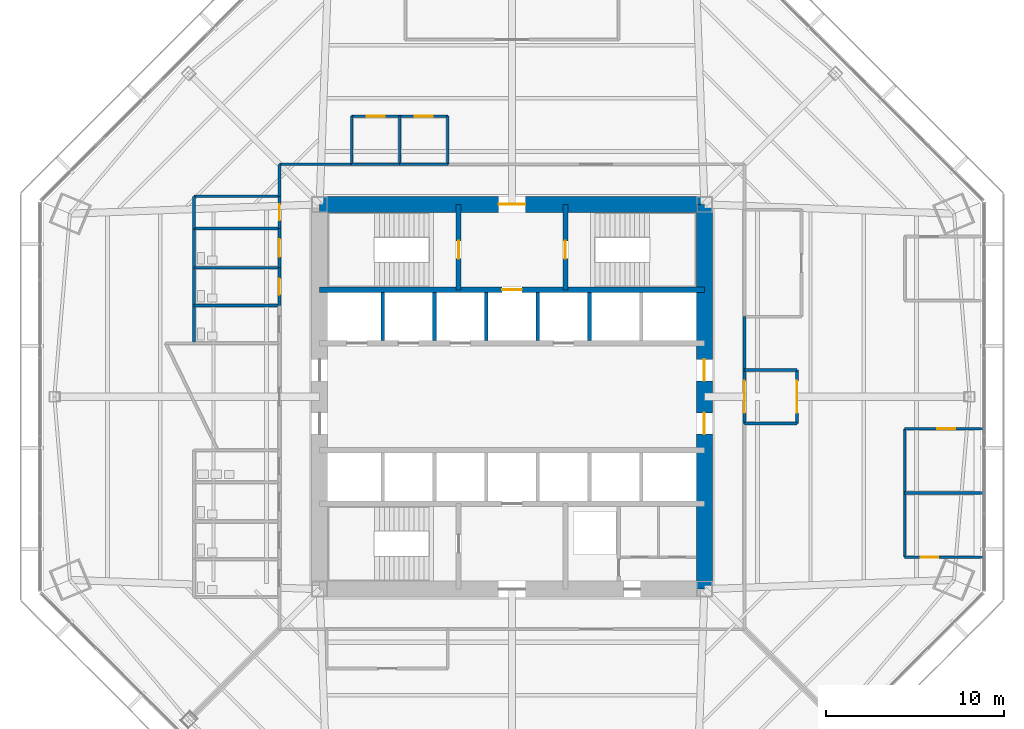
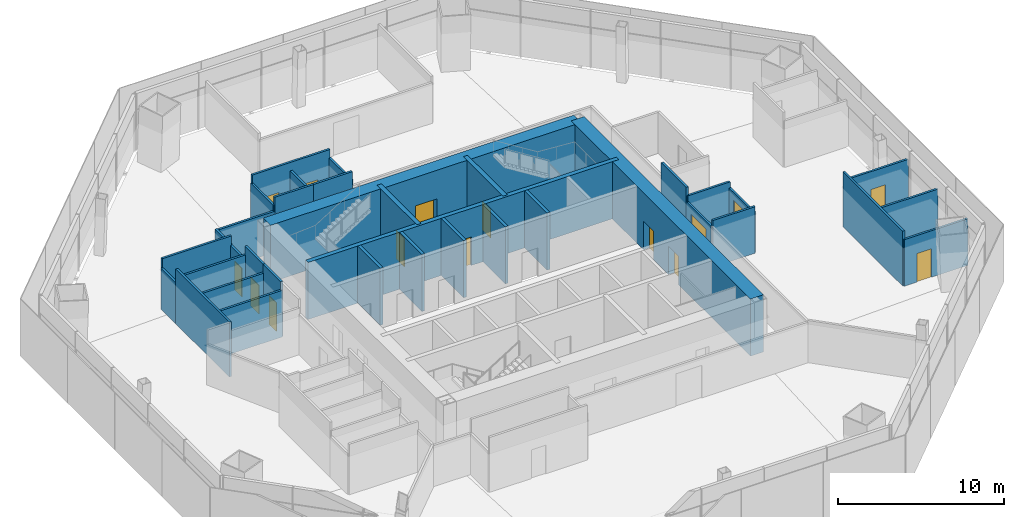
# One storey, part 10 of 14: 36 walls, 15 doors, 15 openings.
"""IFC4 building model written with IfcOpenShell, lengths in metres."""

from ifc_helpers import new_model, si_unit, direction, frame, frame_2d, origin, place, context, subcontext, project, spatial, rectangle, extrude, material, layer, layer_set, type_object, element, fill, save


model = new_model("IFC4")

# Units and contexts
model_context = context("Model", 3, precision=1e-05, world=origin(), true_north=direction((0.0, 1.0)))
body_context = subcontext(model_context, "Body", "Model", "MODEL_VIEW")
ifc_project = project(units=[si_unit("LENGTHUNIT", "METRE"), si_unit("AREAUNIT", "SQUARE_METRE"), si_unit("VOLUMEUNIT", "CUBIC_METRE"), si_unit("PLANEANGLEUNIT", "RADIAN"), si_unit("MASSUNIT", "GRAM", prefix="KILO")], contexts=[model_context])

# Site, building, storey
site_placement = place(None, origin())
site = spatial("IfcSite", under=ifc_project, at=site_placement, CompositionType="ELEMENT")
building_placement = place(site_placement, origin())
building = spatial("IfcBuilding", under=site, at=building_placement, Name="Mashrafa Tower", CompositionType="ELEMENT")
storey_placement = place(building_placement, frame((0.0, 0.0, 54.0)))
storey = spatial("IfcBuildingStorey", under=building, at=storey_placement, Name="L11", CompositionType="ELEMENT", Elevation=54.0)

# Wall, opening, door
ifc_material_1 = material(Name="Concrete C60/75", Category="concrete")
ifc_layer_1 = layer(ifc_material_1, 0.300048828125)
ifc_layer_set_1 = layer_set([ifc_layer_1], Name="Core wall 300 C60/75")
wall_type_1 = type_object("IfcWallType", Name="Core wall 300 C60/75", PredefinedType="SOLIDWALL", material=ifc_layer_set_1)
wall_1_placement = place(storey_placement, frame((-10.800048828125, 6.0, 0.0), z_axis=(0.0, 0.0, 1.0), x_axis=(1.0, 0.0, 0.0)))
wall_1 = element("IfcWall", 1, at=wall_1_placement, inside=storey, type_object=wall_type_1, Name="Core wall CB-N L11", PredefinedType="SOLIDWALL", context=body_context, shape_type="SweptSolid", body=[
    extrude(rectangle(XDim=21.60009765625, YDim=0.300048828125, at=frame_2d((10.800048828125, 0.0))), origin(), (0.0, 0.0, 1.0), 4.199951171875),
])
opening_1_placement = place(wall_1_placement, frame((10.25, 0.0, 0.0)))
opening_1 = element("IfcOpeningElement", 2, at=opening_1_placement, cuts=wall_1, Name="Opening 11.F1", PredefinedType="OPENING", context=body_context, shape_type="SweptSolid", body=[
    extrude(rectangle(XDim=1.10009765625, YDim=2.10009765625, at=frame_2d((0.550048828125, 1.050048828125))), frame((0.0, 0.159912109375, 0.0), z_axis=(0.0, -1.0, 0.0), x_axis=(1.0, 0.0, 0.0)), (0.0, 0.0, 1.0), 0.320068359375),
])
ifc_material_2 = material(Name="Steel door", Category="steel")
door_type_1 = type_object("IfcDoorType", Name="Lift landing door 1100 x 2100 90 min", OperationType="DOUBLE_DOOR_SLIDING", PredefinedType="DOOR", material=ifc_material_2)
door_1_placement = place(opening_1_placement, origin())
door_1 = element("IfcDoor", 3, at=door_1_placement, inside=storey, type_object=door_type_1, Name="Lift landing door F1 L11", OperationType="DOUBLE_DOOR_SLIDING", OverallHeight=2.10009765625, OverallWidth=1.10009765625, PredefinedType="DOOR", context=body_context, shape_type="SweptSolid", body=[
    extrude(rectangle(XDim=1.10009765625, YDim=2.10009765625, at=frame_2d((0.550048828125, 1.050048828125))), frame((0.0, 0.02490234375, 0.0), z_axis=(0.0, -1.0, 0.0), x_axis=(1.0, 0.0, 0.0)), (0.0, 0.0, 1.0), 0.050048828125),
])
fill(opening_1, door_1)

wall_2_placement = place(storey_placement, frame((-3.0, 6.0, 0.0), z_axis=(0.0, 0.0, 1.0), x_axis=(0.0, 1.0, 0.0)))
wall_2 = element("IfcWall", 4, at=wall_2_placement, inside=storey, type_object=wall_type_1, Name="Core wall CX-NW L11", PredefinedType="SOLIDWALL", context=body_context, shape_type="SweptSolid", body=[
    extrude(rectangle(XDim=4.800048828125, YDim=0.300048828125, at=frame_2d((2.39990234375, 0.0))), origin(), (0.0, 0.0, 1.0), 4.199951171875),
])
opening_2_placement = place(wall_2_placement, frame((1.75, 0.0, 0.0)))
opening_2 = element("IfcOpeningElement", 5, at=opening_2_placement, cuts=wall_2, Name="Opening 11.028", PredefinedType="OPENING", context=body_context, shape_type="SweptSolid", body=[
    extrude(rectangle(XDim=1.0, YDim=2.10009765625, at=frame_2d((0.5, 1.050048828125))), frame((0.0, 0.159912109375, 0.0), z_axis=(0.0, -1.0, 0.0), x_axis=(1.0, 0.0, 0.0)), (0.0, 0.0, 1.0), 0.320068359375),
])
ifc_material_3 = material(Name="Steel door", Category="steel")
door_type_2 = type_object("IfcDoorType", Name="Stair door 1000 x 2100 90 min", OperationType="USERDEFINED", PredefinedType="DOOR", material=ifc_material_3)
door_2_placement = place(opening_2_placement, origin())
door_2 = element("IfcDoor", 6, at=door_2_placement, inside=storey, type_object=door_type_2, Name="Stair S1 door L11", OperationType="SINGLE_SWING_LEFT", OverallHeight=2.10009765625, OverallWidth=1.0, PredefinedType="DOOR", context=body_context, shape_type="SweptSolid", body=[
    extrude(rectangle(XDim=1.0, YDim=2.10009765625, at=frame_2d((0.5, 1.050048828125))), frame((0.0, 0.02490234375, 0.0), z_axis=(0.0, -1.0, 0.0), x_axis=(1.0, 0.0, 0.0)), (0.0, 0.0, 1.0), 0.050048828125),
])
fill(opening_2, door_2)

wall_3_placement = place(storey_placement, frame((3.0, 6.0, 0.0), z_axis=(0.0, 0.0, 1.0), x_axis=(0.0, 1.0, 0.0)))
wall_3 = element("IfcWall", 7, at=wall_3_placement, inside=storey, type_object=wall_type_1, Name="Core wall CX-NE L11", PredefinedType="SOLIDWALL", context=body_context, shape_type="SweptSolid", body=[
    extrude(rectangle(XDim=4.800048828125, YDim=0.300048828125, at=frame_2d((2.39990234375, 0.0))), origin(), (0.0, 0.0, 1.0), 4.199951171875),
])
opening_3_placement = place(wall_3_placement, frame((1.75, 0.0, 0.0)))
opening_3 = element("IfcOpeningElement", 8, at=opening_3_placement, cuts=wall_3, Name="Opening 11.029", PredefinedType="OPENING", context=body_context, shape_type="SweptSolid", body=[
    extrude(rectangle(XDim=1.0, YDim=2.10009765625, at=frame_2d((0.5, 1.050048828125))), frame((0.0, 0.159912109375, 0.0), z_axis=(0.0, -1.0, 0.0), x_axis=(1.0, 0.0, 0.0)), (0.0, 0.0, 1.0), 0.320068359375),
])
door_3_placement = place(opening_3_placement, frame((1.0, 0.0, 0.0), z_axis=(0.0, 0.0, 1.0), x_axis=(-1.0, 0.0, 0.0)))
door_3 = element("IfcDoor", 9, at=door_3_placement, inside=storey, type_object=door_type_2, Name="Stair S2 door L11", OperationType="SINGLE_SWING_RIGHT", OverallHeight=2.10009765625, OverallWidth=1.0, PredefinedType="DOOR", context=body_context, shape_type="SweptSolid", body=[
    extrude(rectangle(XDim=1.0, YDim=2.10009765625, at=frame_2d((0.5, 1.050048828125))), frame((0.0, 0.02490234375, 0.0), z_axis=(0.0, -1.0, 0.0), x_axis=(1.0, 0.0, 0.0)), (0.0, 0.0, 1.0), 0.050048828125),
])
fill(opening_3, door_3)

# Wall, openings, doors
ifc_material_4 = material(Name="Concrete C60/75", Category="concrete")
ifc_layer_2 = layer(ifc_material_4, 0.89990234375)
ifc_layer_set_2 = layer_set([ifc_layer_2], Name="Core wall 900 C60/75")
wall_type_2 = type_object("IfcWallType", Name="Core wall 900 C60/75", PredefinedType="SOLIDWALL", material=ifc_layer_set_2)
wall_4_placement = place(storey_placement, frame((10.800048828125, -10.800048828125, 0.0), z_axis=(0.0, 0.0, 1.0), x_axis=(0.0, 1.0, 0.0)))
wall_4 = element("IfcWall", 10, at=wall_4_placement, inside=storey, type_object=wall_type_2, Name="Core wall CW-E L11", PredefinedType="SOLIDWALL", context=body_context, shape_type="SweptSolid", body=[
    extrude(rectangle(XDim=21.60009765625, YDim=0.89990234375, at=frame_2d((10.800048828125, 0.0))), origin(), (0.0, 0.0, 1.0), 4.199951171875),
])
opening_4_placement = place(wall_4_placement, frame((11.699951171875, 0.0, 0.0)))
opening_4 = element("IfcOpeningElement", 11, at=opening_4_placement, cuts=wall_4, Name="Opening 11.022", PredefinedType="OPENING", context=body_context, shape_type="SweptSolid", body=[
    extrude(rectangle(XDim=1.199951171875, YDim=2.10009765625, at=frame_2d((0.60009765625, 1.050048828125))), frame((0.0, 0.4599609375, 0.0), z_axis=(0.0, -1.0, 0.0), x_axis=(1.0, 0.0, 0.0)), (0.0, 0.0, 1.0), 0.919921875),
])
opening_5_placement = place(wall_4_placement, frame((8.699951171875, 0.0, 0.0)))
opening_5 = element("IfcOpeningElement", 12, at=opening_5_placement, cuts=wall_4, Name="Opening 11.024", PredefinedType="OPENING", context=body_context, shape_type="SweptSolid", body=[
    extrude(rectangle(XDim=1.199951171875, YDim=2.10009765625, at=frame_2d((0.60009765625, 1.050048828125))), frame((0.0, 0.4599609375, 0.0), z_axis=(0.0, -1.0, 0.0), x_axis=(1.0, 0.0, 0.0)), (0.0, 0.0, 1.0), 0.919921875),
])
ifc_material_5 = material(Name="Steel door", Category="steel")
door_type_3 = type_object("IfcDoorType", Name="Lift hall door 1200 x 2100 90 min", OperationType="USERDEFINED", PredefinedType="DOOR", material=ifc_material_5)
door_4_placement = place(opening_4_placement, frame((1.199951171875, 0.0, 0.0), z_axis=(0.0, 0.0, 1.0), x_axis=(-1.0, 0.0, 0.0)))
door_4 = element("IfcDoor", 13, at=door_4_placement, inside=storey, type_object=door_type_3, Name="Lift hall door east L11", OperationType="SINGLE_SWING_LEFT", OverallHeight=2.10009765625, OverallWidth=1.199951171875, PredefinedType="DOOR", context=body_context, shape_type="SweptSolid", body=[
    extrude(rectangle(XDim=1.199951171875, YDim=2.10009765625, at=frame_2d((0.60009765625, 1.050048828125))), frame((0.0, 0.02490234375, 0.0), z_axis=(0.0, -1.0, 0.0), x_axis=(1.0, 0.0, 0.0)), (0.0, 0.0, 1.0), 0.050048828125),
])
fill(opening_4, door_4)
door_5_placement = place(opening_5_placement, frame((1.199951171875, 0.0, 0.0), z_axis=(0.0, 0.0, 1.0), x_axis=(-1.0, 0.0, 0.0)))
door_5 = element("IfcDoor", 14, at=door_5_placement, inside=storey, type_object=door_type_3, Name="Lift hall door east L11", OperationType="SINGLE_SWING_RIGHT", OverallHeight=2.10009765625, OverallWidth=1.199951171875, PredefinedType="DOOR", context=body_context, shape_type="SweptSolid", body=[
    extrude(rectangle(XDim=1.199951171875, YDim=2.10009765625, at=frame_2d((0.60009765625, 1.050048828125))), frame((0.0, 0.02490234375, 0.0), z_axis=(0.0, -1.0, 0.0), x_axis=(1.0, 0.0, 0.0)), (0.0, 0.0, 1.0), 0.050048828125),
])
fill(opening_5, door_5)

# Wall, opening, door
wall_5_placement = place(storey_placement, frame((10.800048828125, 10.800048828125, 0.0), z_axis=(0.0, 0.0, 1.0), x_axis=(-1.0, 0.0, 0.0)))
wall_5 = element("IfcWall", 15, at=wall_5_placement, inside=storey, type_object=wall_type_2, Name="Core wall CW-N L11", PredefinedType="SOLIDWALL", context=body_context, shape_type="SweptSolid", body=[
    extrude(rectangle(XDim=21.60009765625, YDim=0.89990234375, at=frame_2d((10.800048828125, 0.0))), origin(), (0.0, 0.0, 1.0), 4.199951171875),
])
opening_6_placement = place(wall_5_placement, frame((10.050048828125, 0.0, 0.0)))
opening_6 = element("IfcOpeningElement", 16, at=opening_6_placement, cuts=wall_5, Name="Opening 11.026", PredefinedType="OPENING", context=body_context, shape_type="SweptSolid", body=[
    extrude(rectangle(XDim=1.5, YDim=2.10009765625, at=frame_2d((0.75, 1.050048828125))), frame((0.0, 0.4599609375, 0.0), z_axis=(0.0, -1.0, 0.0), x_axis=(1.0, 0.0, 0.0)), (0.0, 0.0, 1.0), 0.919921875),
])
ifc_material_6 = material(Name="Steel door", Category="steel")
door_type_4 = type_object("IfcDoorType", Name="Lobby door pair 1500 x 2100 90 min", OperationType="DOUBLE_DOOR_SINGLE_SWING", PredefinedType="DOOR", material=ifc_material_6)
door_6_placement = place(opening_6_placement, origin())
door_6 = element("IfcDoor", 17, at=door_6_placement, inside=storey, type_object=door_type_4, Name="Fire-fighting lobby F1 door L11", OperationType="DOUBLE_DOOR_SINGLE_SWING", OverallHeight=2.10009765625, OverallWidth=1.5, PredefinedType="DOOR", context=body_context, shape_type="SweptSolid", body=[
    extrude(rectangle(XDim=1.5, YDim=2.10009765625, at=frame_2d((0.75, 1.050048828125))), frame((0.0, 0.02490234375, 0.0), z_axis=(0.0, -1.0, 0.0), x_axis=(1.0, 0.0, 0.0)), (0.0, 0.0, 1.0), 0.050048828125),
])
fill(opening_6, door_6)

ifc_material_7 = material(Name="Gypsum board on steel studs", Category="steel")
ifc_layer_3 = layer(ifc_material_7, 0.14990234375)
ifc_layer_set_3 = layer_set([ifc_layer_3], Name="Corridor partition 150 1 hr")
wall_type_3 = type_object("IfcWallType", Name="Corridor partition 150 1 hr", PredefinedType="PARTITIONING", material=ifc_layer_set_3)
wall_6_placement = place(storey_placement, frame((-13.050048828125, 7.2509765625, 0.0), z_axis=(0.0, 0.0, 1.0), x_axis=(0.0, -1.0, 0.0)))
wall_6 = element("IfcWall", 18, at=wall_6_placement, inside=storey, type_object=wall_type_3, Name="Corridor wall L11-002", PredefinedType="PARTITIONING", context=body_context, shape_type="SweptSolid", body=[
    extrude(rectangle(XDim=2.126953125, YDim=0.14990234375, at=frame_2d((1.0634765625, 0.0))), origin(), (0.0, 0.0, 1.0), 4.034912109375),
])
opening_7_placement = place(wall_6_placement, frame((0.613525390625, 0.0, 0.0)))
opening_7 = element("IfcOpeningElement", 19, at=opening_7_placement, cuts=wall_6, Name="Opening 11.002", PredefinedType="OPENING", context=body_context, shape_type="SweptSolid", body=[
    extrude(rectangle(XDim=0.89990234375, YDim=2.10009765625, at=frame_2d((0.449951171875, 1.050048828125))), frame((0.0, 0.0849609375, 0.0), z_axis=(0.0, -1.0, 0.0), x_axis=(1.0, 0.0, 0.0)), (0.0, 0.0, 1.0), 0.169921875),
])
ifc_material_8 = material(Name="Timber door", Category="wood")
door_type_5 = type_object("IfcDoorType", Name="Toilet door 900 x 2100", OperationType="USERDEFINED", PredefinedType="DOOR", material=ifc_material_8)
door_7_placement = place(opening_7_placement, frame((0.89990234375, 0.0, 0.0), z_axis=(0.0, 0.0, 1.0), x_axis=(-1.0, 0.0, 0.0)))
door_7 = element("IfcDoor", 20, at=door_7_placement, inside=storey, type_object=door_type_5, Name="WC Male L11 N door", OperationType="SINGLE_SWING_LEFT", OverallHeight=2.10009765625, OverallWidth=0.89990234375, PredefinedType="DOOR", context=body_context, shape_type="SweptSolid", body=[
    extrude(rectangle(XDim=0.89990234375, YDim=2.10009765625, at=frame_2d((0.449951171875, 1.050048828125))), frame((0.0, 0.02490234375, 0.0), z_axis=(0.0, -1.0, 0.0), x_axis=(1.0, 0.0, 0.0)), (0.0, 0.0, 1.0), 0.050048828125),
])
fill(opening_7, door_7)

wall_7_placement = place(storey_placement, frame((-13.050048828125, 9.450927734375, 0.0), z_axis=(0.0, 0.0, 1.0), x_axis=(0.0, -1.0, 0.0)))
wall_7 = element("IfcWall", 21, at=wall_7_placement, inside=storey, type_object=wall_type_3, Name="Corridor wall L11-003", PredefinedType="PARTITIONING", context=body_context, shape_type="SweptSolid", body=[
    extrude(rectangle(XDim=2.201904296875, YDim=0.14990234375, at=frame_2d((1.10107421875, 0.0))), origin(), (0.0, 0.0, 1.0), 4.034912109375),
])
opening_8_placement = place(wall_7_placement, frame((0.60107421875, 0.0, 0.0)))
opening_8 = element("IfcOpeningElement", 22, at=opening_8_placement, cuts=wall_7, Name="Opening 11.003", PredefinedType="OPENING", context=body_context, shape_type="SweptSolid", body=[
    extrude(rectangle(XDim=1.0, YDim=2.10009765625, at=frame_2d((0.5, 1.050048828125))), frame((0.0, 0.0849609375, 0.0), z_axis=(0.0, -1.0, 0.0), x_axis=(1.0, 0.0, 0.0)), (0.0, 0.0, 1.0), 0.169921875),
])
ifc_material_9 = material(Name="Timber door", Category="wood")
door_type_6 = type_object("IfcDoorType", Name="Accessible toilet door 1000 x 2100", OperationType="USERDEFINED", PredefinedType="DOOR", material=ifc_material_9)
door_8_placement = place(opening_8_placement, frame((1.0, 0.0, 0.0), z_axis=(0.0, 0.0, 1.0), x_axis=(-1.0, 0.0, 0.0)))
door_8 = element("IfcDoor", 23, at=door_8_placement, inside=storey, type_object=door_type_6, Name="Accessible WC L11 N door", OperationType="SINGLE_SWING_RIGHT", OverallHeight=2.10009765625, OverallWidth=1.0, PredefinedType="DOOR", context=body_context, shape_type="SweptSolid", body=[
    extrude(rectangle(XDim=1.0, YDim=2.10009765625, at=frame_2d((0.5, 1.050048828125))), frame((0.0, 0.02490234375, 0.0), z_axis=(0.0, -1.0, 0.0), x_axis=(1.0, 0.0, 0.0)), (0.0, 0.0, 1.0), 0.050048828125),
])
fill(opening_8, door_8)

wall_8_placement = place(storey_placement, frame((-13.050048828125, 11.2509765625, 0.0), z_axis=(0.0, 0.0, 1.0), x_axis=(0.0, -1.0, 0.0)))
wall_8 = element("IfcWall", 24, at=wall_8_placement, inside=storey, type_object=wall_type_3, Name="Corridor wall L11-004", PredefinedType="PARTITIONING", context=body_context, shape_type="SweptSolid", body=[
    extrude(rectangle(XDim=1.802001953125, YDim=0.14990234375, at=frame_2d((0.90087890625, 0.0))), origin(), (0.0, 0.0, 1.0), 3.01416015625),
])
opening_9_placement = place(wall_8_placement, frame((0.450927734375, 0.0, 0.0)))
opening_9 = element("IfcOpeningElement", 25, at=opening_9_placement, cuts=wall_8, Name="Opening 11.004", PredefinedType="OPENING", context=body_context, shape_type="SweptSolid", body=[
    extrude(rectangle(XDim=0.89990234375, YDim=2.10009765625, at=frame_2d((0.449951171875, 1.050048828125))), frame((0.0, 0.0849609375, 0.0), z_axis=(0.0, -1.0, 0.0), x_axis=(1.0, 0.0, 0.0)), (0.0, 0.0, 1.0), 0.169921875),
])
ifc_material_10 = material(Name="Timber door", Category="wood")
door_type_7 = type_object("IfcDoorType", Name="Store door 900 x 2100", OperationType="USERDEFINED", PredefinedType="DOOR", material=ifc_material_10)
door_9_placement = place(opening_9_placement, frame((0.89990234375, 0.0, 0.0), z_axis=(0.0, 0.0, 1.0), x_axis=(-1.0, 0.0, 0.0)))
door_9 = element("IfcDoor", 26, at=door_9_placement, inside=storey, type_object=door_type_7, Name="Cleaner's Store L11 N door", OperationType="SINGLE_SWING_LEFT", OverallHeight=2.10009765625, OverallWidth=0.89990234375, PredefinedType="DOOR", context=body_context, shape_type="SweptSolid", body=[
    extrude(rectangle(XDim=0.89990234375, YDim=2.10009765625, at=frame_2d((0.449951171875, 1.050048828125))), frame((0.0, 0.02490234375, 0.0), z_axis=(0.0, -1.0, 0.0), x_axis=(1.0, 0.0, 0.0)), (0.0, 0.0, 1.0), 0.050048828125),
])
fill(opening_9, door_9)

# Walls
for number, where, z_axis, x_axis, name in (
    (27, (-3.59912109375, 13.050048828125, 0.0), (0.0, 0.0, 1.0), (-1.0, 0.0, 0.0), "Corridor wall L11-012"),
    (28, (-6.299072265625, 13.050048828125, 0.0), (0.0, 0.0, 1.0), (-1.0, 0.0, 0.0), "Corridor wall L11-013"),
):
    element("IfcWall", number, at=place(storey_placement, frame(where, z_axis=z_axis, x_axis=x_axis)), inside=storey, type_object=wall_type_3, Name=name, PredefinedType="PARTITIONING", context=body_context, shape_type="SweptSolid", body=[
        extrude(rectangle(XDim=2.701904296875, YDim=0.14990234375, at=frame_2d((1.35107421875, 0.0))), origin(), (0.0, 0.0, 1.0), 4.034912109375),
    ])

# Wall, opening, door
wall_9_placement = place(storey_placement, frame((13.050048828125, -1.5009765625, 0.0), z_axis=(0.0, 0.0, 1.0), x_axis=(0.0, 1.0, 0.0)))
wall_9 = element("IfcWall", 29, at=wall_9_placement, inside=storey, type_object=wall_type_3, Name="Corridor wall L11-014", PredefinedType="PARTITIONING", context=body_context, shape_type="SweptSolid", body=[
    extrude(rectangle(XDim=3.001953125, YDim=0.14990234375, at=frame_2d((1.5009765625, 0.0))), origin(), (0.0, 0.0, 1.0), 2.983642578125),
])
opening_10_placement = place(wall_9_placement, frame((0.60107421875, 0.0, 0.0)))
opening_10 = element("IfcOpeningElement", 30, at=opening_10_placement, cuts=wall_9, Name="Opening 11.018", PredefinedType="OPENING", context=body_context, shape_type="SweptSolid", body=[
    extrude(rectangle(XDim=1.800048828125, YDim=2.39990234375, at=frame_2d((0.89990234375, 1.199951171875))), frame((0.0, 0.0849609375, 0.0), z_axis=(0.0, -1.0, 0.0), x_axis=(1.0, 0.0, 0.0)), (0.0, 0.0, 1.0), 0.169921875),
])
ifc_material_11 = material(Name="Steel door", Category="steel")
door_type_8 = type_object("IfcDoorType", Name="Door pair 1800 x 2400 90 min", OperationType="DOUBLE_DOOR_SINGLE_SWING", PredefinedType="DOOR", material=ifc_material_11)
door_10_placement = place(opening_10_placement, origin())
door_10 = element("IfcDoor", 31, at=door_10_placement, inside=storey, type_object=door_type_8, Name="Trading Floor Entrance Lobby 11 door", OperationType="DOUBLE_DOOR_SINGLE_SWING", OverallHeight=2.39990234375, OverallWidth=1.800048828125, PredefinedType="DOOR", context=body_context, shape_type="SweptSolid", body=[
    extrude(rectangle(XDim=1.800048828125, YDim=2.39990234375, at=frame_2d((0.89990234375, 1.199951171875))), frame((0.0, 0.02490234375, 0.0), z_axis=(0.0, -1.0, 0.0), x_axis=(1.0, 0.0, 0.0)), (0.0, 0.0, 1.0), 0.050048828125),
])
fill(opening_10, door_10)

# Walls
wall_10_placement = place(storey_placement, frame((-8.9990234375, 13.050048828125, 0.0), z_axis=(0.0, 0.0, 1.0), x_axis=(-1.0, 0.0, 0.0)))
element("IfcWall", 32, at=wall_10_placement, inside=storey, type_object=wall_type_3, Name="Corridor wall L11-016", PredefinedType="PARTITIONING", context=body_context, shape_type="SweptSolid", body=[
    extrude(rectangle(XDim=4.051025390625, YDim=0.14990234375, at=frame_2d((2.025390625, 0.0))), origin(), (0.0, 0.0, 1.0), 3.01416015625),
])
wall_11_placement = place(storey_placement, frame((-13.050048828125, 13.050048828125, 0.0), z_axis=(0.0, 0.0, 1.0), x_axis=(0.0, -1.0, 0.0)))
element("IfcWall", 33, at=wall_11_placement, inside=storey, type_object=wall_type_3, Name="Corridor wall L11-017", PredefinedType="PARTITIONING", context=body_context, shape_type="SweptSolid", body=[
    extrude(rectangle(XDim=1.801025390625, YDim=0.14990234375, at=frame_2d((0.900390625, 0.0))), origin(), (0.0, 0.0, 1.0), 3.097900390625),
])
wall_12_placement = place(storey_placement, frame((13.050048828125, 1.4990234375, 0.0), z_axis=(0.0, 0.0, 1.0), x_axis=(0.0, 1.0, 0.0)))
element("IfcWall", 34, at=wall_12_placement, inside=storey, type_object=wall_type_3, Name="Corridor wall L11-021", PredefinedType="PARTITIONING", context=body_context, shape_type="SweptSolid", body=[
    extrude(rectangle(XDim=3.001953125, YDim=0.14990234375, at=frame_2d((1.5009765625, 0.0))), origin(), (0.0, 0.0, 1.0), 4.034912109375),
])
wall_13_placement = place(storey_placement, frame((13.050048828125, -1.5, 0.0), z_axis=(0.0, 0.0, 1.0), x_axis=(1.0, 0.0, 0.0)))
element("IfcWall", 35, at=wall_13_placement, inside=storey, type_object=wall_type_3, Name="Corridor wall L11-067", PredefinedType="PARTITIONING", context=body_context, shape_type="SweptSolid", body=[
    extrude(rectangle(XDim=2.949951171875, YDim=0.14990234375, at=frame_2d((1.47509765625, 0.0))), origin(), (0.0, 0.0, 1.0), 3.423095703125),
])

# Wall, opening, door
wall_14_placement = place(storey_placement, frame((16.0, -1.5, 0.0), z_axis=(0.0, 0.0, 1.0), x_axis=(0.0, 1.0, 0.0)))
wall_14 = element("IfcWall", 36, at=wall_14_placement, inside=storey, type_object=wall_type_3, Name="Corridor wall L11-068", PredefinedType="PARTITIONING", context=body_context, shape_type="SweptSolid", body=[
    extrude(rectangle(XDim=3.0, YDim=0.14990234375, at=frame_2d((1.5, 0.0))), origin(), (0.0, 0.0, 1.0), 2.983642578125),
])
opening_11_placement = place(wall_14_placement, frame((0.60009765625, 0.0, 0.0)))
opening_11 = element("IfcOpeningElement", 37, at=opening_11_placement, cuts=wall_14, Name="Opening 11.019", PredefinedType="OPENING", context=body_context, shape_type="SweptSolid", body=[
    extrude(rectangle(XDim=1.800048828125, YDim=2.39990234375, at=frame_2d((0.89990234375, 1.199951171875))), frame((0.0, 0.0849609375, 0.0), z_axis=(0.0, -1.0, 0.0), x_axis=(1.0, 0.0, 0.0)), (0.0, 0.0, 1.0), 0.169921875),
])
door_11_placement = place(opening_11_placement, frame((1.800048828125, 0.0, 0.0), z_axis=(0.0, 0.0, 1.0), x_axis=(-1.0, 0.0, 0.0)))
door_11 = element("IfcDoor", 38, at=door_11_placement, inside=storey, type_object=door_type_8, Name="Trading Floor Entrance Lobby 11 door", OperationType="DOUBLE_DOOR_SINGLE_SWING", OverallHeight=2.39990234375, OverallWidth=1.800048828125, PredefinedType="DOOR", context=body_context, shape_type="SweptSolid", body=[
    extrude(rectangle(XDim=1.800048828125, YDim=2.39990234375, at=frame_2d((0.89990234375, 1.199951171875))), frame((0.0, 0.02490234375, 0.0), z_axis=(0.0, -1.0, 0.0), x_axis=(1.0, 0.0, 0.0)), (0.0, 0.0, 1.0), 0.050048828125),
])
fill(opening_11, door_11)

# Walls
wall_15_placement = place(storey_placement, frame((16.0, 1.5, 0.0), z_axis=(0.0, 0.0, 1.0), x_axis=(-1.0, 0.0, 0.0)))
element("IfcWall", 39, at=wall_15_placement, inside=storey, type_object=wall_type_3, Name="Corridor wall L11-069", PredefinedType="PARTITIONING", context=body_context, shape_type="SweptSolid", body=[
    extrude(rectangle(XDim=2.949951171875, YDim=0.14990234375, at=frame_2d((1.47509765625, 0.0))), origin(), (0.0, 0.0, 1.0), 3.423095703125),
])
ifc_material_12 = material(Name="Gypsum board on steel studs", Category="steel")
ifc_layer_4 = layer(ifc_material_12, 0.14990234375)
ifc_layer_set_4 = layer_set([ifc_layer_4], Name="Partition 150")
wall_type_4 = type_object("IfcWallType", Name="Partition 150", PredefinedType="PARTITIONING", material=ifc_layer_set_4)
wall_16_placement = place(storey_placement, frame((-13.050048828125, 5.125, 0.0), z_axis=(0.0, 0.0, 1.0), x_axis=(-1.0, 0.0, 0.0)))
element("IfcWall", 40, at=wall_16_placement, inside=storey, type_object=wall_type_4, Name="Partition wall L11-024", PredefinedType="PARTITIONING", context=body_context, shape_type="SweptSolid", body=[
    extrude(rectangle(XDim=4.800048828125, YDim=0.14990234375, at=frame_2d((2.39990234375, 0.0))), origin(), (0.0, 0.0, 1.0), 3.423095703125),
])
wall_17_placement = place(storey_placement, frame((-17.85009765625, 3.0, 0.0), z_axis=(0.0, 0.0, 1.0), x_axis=(0.0, 1.0, 0.0)))
element("IfcWall", 41, at=wall_17_placement, inside=storey, type_object=wall_type_4, Name="Partition wall L11-026", PredefinedType="PARTITIONING", context=body_context, shape_type="SweptSolid", body=[
    extrude(rectangle(XDim=6.449951171875, YDim=0.14990234375, at=frame_2d((3.22509765625, 0.0))), origin(), (0.0, 0.0, 1.0), 4.034912109375),
])
for number, where, z_axis, x_axis, name in (
    (42, (-13.050048828125, 7.25, 0.0), (0.0, 0.0, 1.0), (-1.0, 0.0, 0.0), "Partition wall L11-027"),
    (43, (-13.050048828125, 9.449951171875, 0.0), (0.0, 0.0, 1.0), (-1.0, 0.0, 0.0), "Partition wall L11-029"),
):
    element("IfcWall", number, at=place(storey_placement, frame(where, z_axis=z_axis, x_axis=x_axis)), inside=storey, type_object=wall_type_4, Name=name, PredefinedType="PARTITIONING", context=body_context, shape_type="SweptSolid", body=[
        extrude(rectangle(XDim=4.800048828125, YDim=0.14990234375, at=frame_2d((2.39990234375, 0.0))), origin(), (0.0, 0.0, 1.0), 3.423095703125),
    ])
wall_18_placement = place(storey_placement, frame((-13.050048828125, 11.25, 0.0), z_axis=(0.0, 0.0, 1.0), x_axis=(-1.0, 0.0, 0.0)))
element("IfcWall", 44, at=wall_18_placement, inside=storey, type_object=wall_type_4, Name="Partition wall L11-031", PredefinedType="PARTITIONING", context=body_context, shape_type="SweptSolid", body=[
    extrude(rectangle(XDim=4.800048828125, YDim=0.14990234375, at=frame_2d((2.39990234375, 0.0))), origin(), (0.0, 0.0, 1.0), 3.715087890625),
])
wall_19_placement = place(storey_placement, frame((-17.85009765625, 11.25, 0.0), z_axis=(0.0, 0.0, 1.0), x_axis=(0.0, -1.0, 0.0)))
element("IfcWall", 45, at=wall_19_placement, inside=storey, type_object=wall_type_4, Name="Partition wall L11-032", PredefinedType="PARTITIONING", context=body_context, shape_type="SweptSolid", body=[
    extrude(rectangle(XDim=1.800048828125, YDim=0.14990234375, at=frame_2d((0.89990234375, 0.0))), origin(), (0.0, 0.0, 1.0), 3.01416015625),
])
wall_20_placement = place(storey_placement, frame((26.468994140625, -5.39990234375, 0.0), z_axis=(0.0, 0.0, 1.0), x_axis=(-1.0, 0.0, 0.0)))
element("IfcWall", 46, at=wall_20_placement, inside=storey, type_object=wall_type_4, Name="Partition wall L11-045", PredefinedType="PARTITIONING", context=body_context, shape_type="SweptSolid", body=[
    extrude(rectangle(XDim=4.431884765625, YDim=0.14990234375, at=frame_2d((2.2158203125, 0.0))), origin(), (0.0, 0.0, 1.0), 3.41796875),
])
wall_21_placement = place(storey_placement, frame((22.037109375, -9.0, 0.0), z_axis=(0.0, 0.0, 1.0), x_axis=(0.0, 1.0, 0.0)))
element("IfcWall", 47, at=wall_21_placement, inside=storey, type_object=wall_type_4, Name="Partition wall L11-046", PredefinedType="PARTITIONING", context=body_context, shape_type="SweptSolid", body=[
    extrude(rectangle(XDim=7.199951171875, YDim=0.14990234375, at=frame_2d((3.60009765625, 0.0))), origin(), (0.0, 0.0, 1.0), 4.034912109375),
])

# Wall, opening, door
wall_22_placement = place(storey_placement, frame((22.037109375, -9.0, 0.0), z_axis=(0.0, 0.0, 1.0), x_axis=(1.0, 0.0, 0.0)))
wall_22 = element("IfcWall", 48, at=wall_22_placement, inside=storey, type_object=wall_type_4, Name="Partition wall L11-047", PredefinedType="PARTITIONING", context=body_context, shape_type="SweptSolid", body=[
    extrude(rectangle(XDim=4.43408203125, YDim=0.14990234375, at=frame_2d((2.217041015625, 0.0))), origin(), (0.0, 0.0, 1.0), 3.41796875),
])
opening_12_placement = place(wall_22_placement, frame((0.89990234375, 0.0, 0.0)))
opening_12 = element("IfcOpeningElement", 49, at=opening_12_placement, cuts=wall_22, Name="Opening 11.010", PredefinedType="OPENING", context=body_context, shape_type="SweptSolid", body=[
    extrude(rectangle(XDim=1.0, YDim=2.10009765625, at=frame_2d((0.5, 1.050048828125))), frame((0.0, 0.0849609375, 0.0), z_axis=(0.0, -1.0, 0.0), x_axis=(1.0, 0.0, 0.0)), (0.0, 0.0, 1.0), 0.169921875),
])
ifc_material_13 = material(Name="Timber door", Category="wood")
door_type_9 = type_object("IfcDoorType", Name="Door 1000 x 2100", OperationType="USERDEFINED", PredefinedType="DOOR", material=ifc_material_13)
door_12_placement = place(opening_12_placement, origin())
door_12 = element("IfcDoor", 50, at=door_12_placement, inside=storey, type_object=door_type_9, Name="Meeting Room 11-1 door", OperationType="SINGLE_SWING_LEFT", OverallHeight=2.10009765625, OverallWidth=1.0, PredefinedType="DOOR", context=body_context, shape_type="SweptSolid", body=[
    extrude(rectangle(XDim=1.0, YDim=2.10009765625, at=frame_2d((0.5, 1.050048828125))), frame((0.0, 0.02490234375, 0.0), z_axis=(0.0, -1.0, 0.0), x_axis=(1.0, 0.0, 0.0)), (0.0, 0.0, 1.0), 0.050048828125),
])
fill(opening_12, door_12)

wall_23_placement = place(storey_placement, frame((26.47119140625, -1.800048828125, 0.0), z_axis=(0.0, 0.0, 1.0), x_axis=(-1.0, 0.0, 0.0)))
wall_23 = element("IfcWall", 51, at=wall_23_placement, inside=storey, type_object=wall_type_4, Name="Partition wall L11-048", PredefinedType="PARTITIONING", context=body_context, shape_type="SweptSolid", body=[
    extrude(rectangle(XDim=4.43408203125, YDim=0.14990234375, at=frame_2d((2.217041015625, 0.0))), origin(), (0.0, 0.0, 1.0), 3.41796875),
])
opening_13_placement = place(wall_23_placement, frame((1.59912109375, 0.0, 0.0)))
opening_13 = element("IfcOpeningElement", 52, at=opening_13_placement, cuts=wall_23, Name="Opening 11.011", PredefinedType="OPENING", context=body_context, shape_type="SweptSolid", body=[
    extrude(rectangle(XDim=1.0, YDim=2.10009765625, at=frame_2d((0.5, 1.050048828125))), frame((0.0, 0.0849609375, 0.0), z_axis=(0.0, -1.0, 0.0), x_axis=(1.0, 0.0, 0.0)), (0.0, 0.0, 1.0), 0.169921875),
])
door_13_placement = place(opening_13_placement, origin())
door_13 = element("IfcDoor", 53, at=door_13_placement, inside=storey, type_object=door_type_9, Name="Meeting Room 11-2 door", OperationType="SINGLE_SWING_LEFT", OverallHeight=2.10009765625, OverallWidth=1.0, PredefinedType="DOOR", context=body_context, shape_type="SweptSolid", body=[
    extrude(rectangle(XDim=1.0, YDim=2.10009765625, at=frame_2d((0.5, 1.050048828125))), frame((0.0, 0.02490234375, 0.0), z_axis=(0.0, -1.0, 0.0), x_axis=(1.0, 0.0, 0.0)), (0.0, 0.0, 1.0), 0.050048828125),
])
fill(opening_13, door_13)

# Walls
for number, where, z_axis, x_axis, name in (
    (54, (-6.300048828125, 15.75, 0.0), (0.0, 0.0, 1.0), (0.0, -1.0, 0.0), "Partition wall L11-062"),
    (55, (-3.60009765625, 13.050048828125, 0.0), (0.0, 0.0, 1.0), (0.0, 1.0, 0.0), "Partition wall L11-063"),
):
    element("IfcWall", number, at=place(storey_placement, frame(where, z_axis=z_axis, x_axis=x_axis)), inside=storey, type_object=wall_type_4, Name=name, PredefinedType="PARTITIONING", context=body_context, shape_type="SweptSolid", body=[
        extrude(rectangle(XDim=2.699951171875, YDim=0.14990234375, at=frame_2d((1.35009765625, 0.0))), origin(), (0.0, 0.0, 1.0), 3.423095703125),
    ])

# Wall, openings, doors
wall_24_placement = place(storey_placement, frame((-3.60009765625, 15.75, 0.0), z_axis=(0.0, 0.0, 1.0), x_axis=(-1.0, 0.0, 0.0)))
wall_24 = element("IfcWall", 56, at=wall_24_placement, inside=storey, type_object=wall_type_4, Name="Partition wall L11-064", PredefinedType="PARTITIONING", context=body_context, shape_type="SweptSolid", body=[
    extrude(rectangle(XDim=5.39990234375, YDim=0.14990234375, at=frame_2d((2.699951171875, 0.0))), origin(), (0.0, 0.0, 1.0), 4.034912109375),
])
opening_14_placement = place(wall_24_placement, frame((0.85009765625, 0.0, 0.0)))
opening_14 = element("IfcOpeningElement", 57, at=opening_14_placement, cuts=wall_24, Name="Opening 11.016", PredefinedType="OPENING", context=body_context, shape_type="SweptSolid", body=[
    extrude(rectangle(XDim=1.0, YDim=2.10009765625, at=frame_2d((0.5, 1.050048828125))), frame((0.0, 0.0849609375, 0.0), z_axis=(0.0, -1.0, 0.0), x_axis=(1.0, 0.0, 0.0)), (0.0, 0.0, 1.0), 0.169921875),
])
opening_15_placement = place(wall_24_placement, frame((3.550048828125, 0.0, 0.0)))
opening_15 = element("IfcOpeningElement", 58, at=opening_15_placement, cuts=wall_24, Name="Opening 11.017", PredefinedType="OPENING", context=body_context, shape_type="SweptSolid", body=[
    extrude(rectangle(XDim=1.0, YDim=2.10009765625, at=frame_2d((0.5, 1.050048828125))), frame((0.0, 0.0849609375, 0.0), z_axis=(0.0, -1.0, 0.0), x_axis=(1.0, 0.0, 0.0)), (0.0, 0.0, 1.0), 0.169921875),
])
door_14_placement = place(opening_14_placement, origin())
door_14 = element("IfcDoor", 59, at=door_14_placement, inside=storey, type_object=door_type_9, Name="Quiet Room 11-1 door", OperationType="SINGLE_SWING_LEFT", OverallHeight=2.10009765625, OverallWidth=1.0, PredefinedType="DOOR", context=body_context, shape_type="SweptSolid", body=[
    extrude(rectangle(XDim=1.0, YDim=2.10009765625, at=frame_2d((0.5, 1.050048828125))), frame((0.0, 0.02490234375, 0.0), z_axis=(0.0, -1.0, 0.0), x_axis=(1.0, 0.0, 0.0)), (0.0, 0.0, 1.0), 0.050048828125),
])
fill(opening_14, door_14)
door_15_placement = place(opening_15_placement, origin())
door_15 = element("IfcDoor", 60, at=door_15_placement, inside=storey, type_object=door_type_9, Name="Quiet Room 11-2 door", OperationType="SINGLE_SWING_LEFT", OverallHeight=2.10009765625, OverallWidth=1.0, PredefinedType="DOOR", context=body_context, shape_type="SweptSolid", body=[
    extrude(rectangle(XDim=1.0, YDim=2.10009765625, at=frame_2d((0.5, 1.050048828125))), frame((0.0, 0.02490234375, 0.0), z_axis=(0.0, -1.0, 0.0), x_axis=(1.0, 0.0, 0.0)), (0.0, 0.0, 1.0), 0.050048828125),
])
fill(opening_15, door_15)

# Walls
wall_25_placement = place(storey_placement, frame((-9.0, 15.75, 0.0), z_axis=(0.0, 0.0, 1.0), x_axis=(0.0, -1.0, 0.0)))
element("IfcWall", 61, at=wall_25_placement, inside=storey, type_object=wall_type_4, Name="Partition wall L11-066", PredefinedType="PARTITIONING", context=body_context, shape_type="SweptSolid", body=[
    extrude(rectangle(XDim=2.699951171875, YDim=0.14990234375, at=frame_2d((1.35009765625, 0.0))), origin(), (0.0, 0.0, 1.0), 3.423095703125),
])
ifc_material_14 = material(Name="Gypsum shaft wall on steel studs", Category="steel")
ifc_layer_5 = layer(ifc_material_14, 0.199951171875)
ifc_layer_set_5 = layer_set([ifc_layer_5], Name="Shaft divider wall 200 2 hr")
wall_type_5 = type_object("IfcWallType", Name="Shaft divider wall 200 2 hr", PredefinedType="PARTITIONING", material=ifc_layer_set_5)
for number, where, z_axis, x_axis, name in (
    (62, (-7.25, 3.14990234375, 0.0), (0.0, 0.0, 1.0), (0.0, 1.0, 0.0), "Shaft divider wall N1 L11"),
    (63, (-4.35009765625, 3.14990234375, 0.0), (0.0, 0.0, 1.0), (0.0, 1.0, 0.0), "Shaft divider wall N2 L11"),
    (64, (-1.449951171875, 3.14990234375, 0.0), (0.0, 0.0, 1.0), (0.0, 1.0, 0.0), "Shaft divider wall N3 L11"),
    (65, (1.449951171875, 3.14990234375, 0.0), (0.0, 0.0, 1.0), (0.0, 1.0, 0.0), "Shaft divider wall N4 L11"),
    (66, (4.35009765625, 3.14990234375, 0.0), (0.0, 0.0, 1.0), (0.0, 1.0, 0.0), "Shaft divider wall N5 L11"),
):
    element("IfcWall", number, at=place(storey_placement, frame(where, z_axis=z_axis, x_axis=x_axis)), inside=storey, type_object=wall_type_5, Name=name, PredefinedType="PARTITIONING", context=body_context, shape_type="SweptSolid", body=[
        extrude(rectangle(XDim=2.7001953125, YDim=0.199951171875, at=frame_2d((1.35009765625, 0.0))), origin(), (0.0, 0.0, 1.0), 4.199951171875),
    ])

save(model, "model.ifc")
